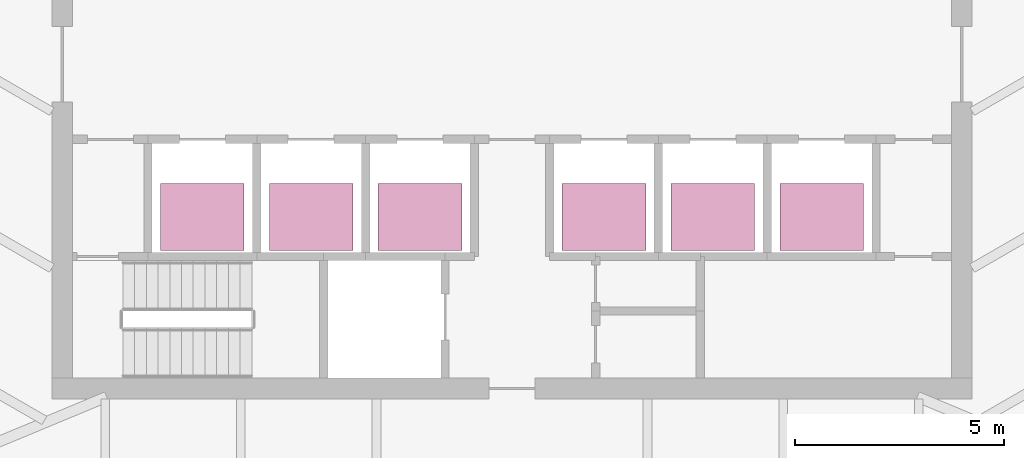
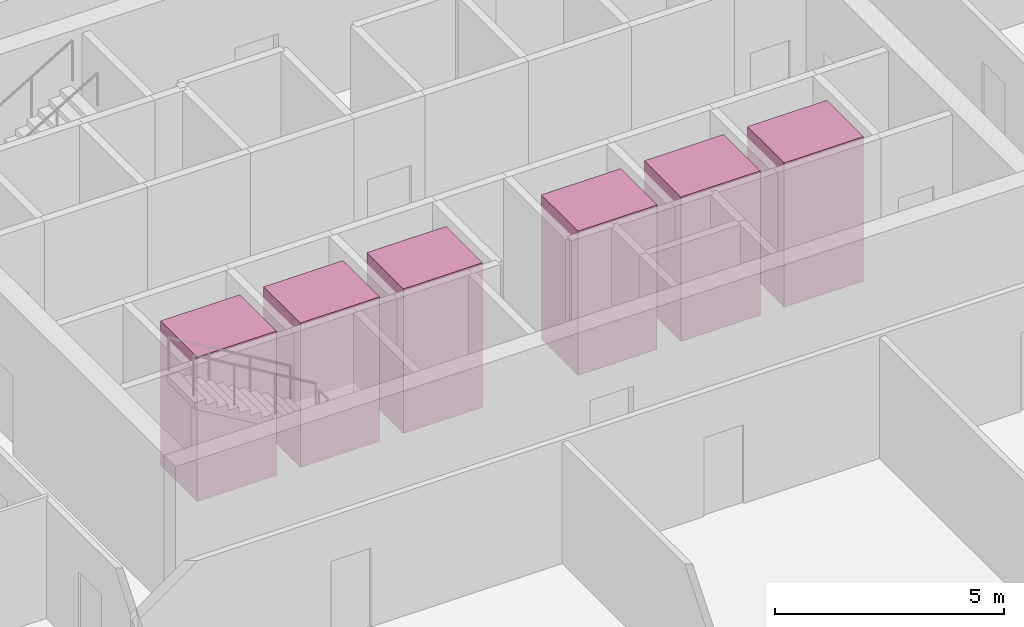
# One storey, part 17 of 17: 6 transport elements.
"""IFC4 building model written with IfcOpenShell, lengths in metres."""

from ifc_helpers import new_model, si_unit, direction, frame, origin, origin_2d, place, context, subcontext, project, spatial, rectangle, extrude, material, type_object, element, save


model = new_model("IFC4")

# Units and contexts
model_context = context("Model", 3, precision=1e-05, world=origin(), true_north=direction((0.0, 1.0)))
body_context = subcontext(model_context, "Body", "Model", "MODEL_VIEW")
ifc_project = project(units=[si_unit("LENGTHUNIT", "METRE"), si_unit("AREAUNIT", "SQUARE_METRE"), si_unit("VOLUMEUNIT", "CUBIC_METRE"), si_unit("PLANEANGLEUNIT", "RADIAN"), si_unit("MASSUNIT", "GRAM", prefix="KILO")], contexts=[model_context])

# Site, building, storey
site_placement = place(None, origin())
site = spatial("IfcSite", under=ifc_project, at=site_placement, CompositionType="ELEMENT")
building_placement = place(site_placement, origin())
building = spatial("IfcBuilding", under=site, at=building_placement, Name="Sierra Prisma Convention Tower", CompositionType="ELEMENT")
storey_placement = place(building_placement, frame((0.0, 0.0, 153.800048828125)))
storey = spatial("IfcBuildingStorey", under=building, at=storey_placement, Name="L33", CompositionType="ELEMENT", Elevation=153.800048828125)

# Transport elements
ifc_material = material(Name="Stainless steel", Category="steel")
transport_element_type = type_object("IfcTransportElementType", Name="Lift car office low 2000x1600 1600 kg", PredefinedType="ELEVATOR", material=ifc_material)
for number, where, z_axis, x_axis, name in (
    (1, (-7.39990234375, -3.64990234375, 0.0), (0.0, 0.0, 1.0), (1.0, 0.0, 0.0), "Lift OL1"),
    (2, (-4.800048828125, -3.64990234375, 0.0), (0.0, 0.0, 1.0), (1.0, 0.0, 0.0), "Lift OL2"),
    (3, (-2.199951171875, -3.64990234375, 0.0), (0.0, 0.0, 1.0), (1.0, 0.0, 0.0), "Lift OL3"),
    (4, (2.199951171875, -3.64990234375, 0.0), (0.0, 0.0, 1.0), (1.0, 0.0, 0.0), "Lift OL4"),
    (5, (4.800048828125, -3.64990234375, 0.0), (0.0, 0.0, 1.0), (1.0, 0.0, 0.0), "Lift OL5"),
    (6, (7.39990234375, -3.64990234375, 0.0), (0.0, 0.0, 1.0), (1.0, 0.0, 0.0), "Lift OL6"),
):
    element("IfcTransportElement", number, at=place(storey_placement, frame(where, z_axis=z_axis, x_axis=x_axis)), inside=storey, type_object=transport_element_type, Name=name, PredefinedType="ELEVATOR", context=body_context, shape_type="SweptSolid", body=[
        extrude(rectangle(XDim=2.0, YDim=1.60009765625, at=origin_2d()), origin(), (0.0, 0.0, 1.0), 3.85009765625),
    ])

save(model, "model.ifc")
